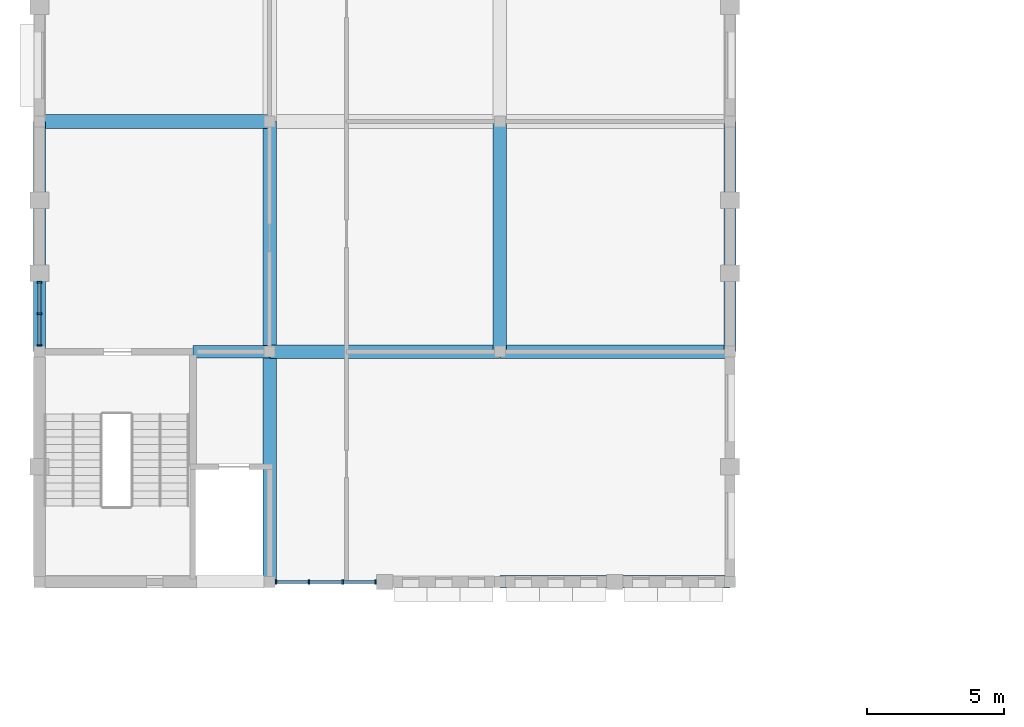
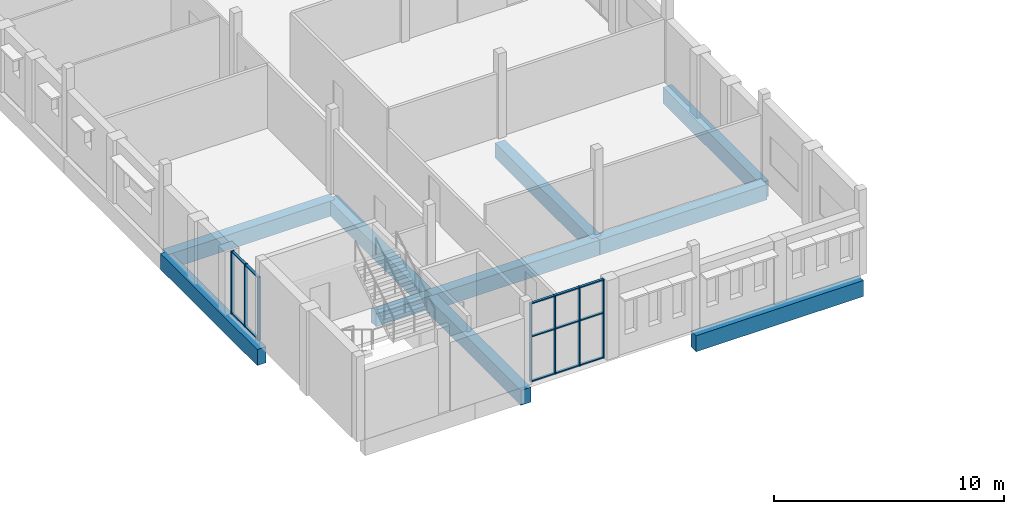
# One storey, part 4 of 22: 20 members, 10 beams, 2 elements without a shape of their own.
"""IFC4 building model written with IfcOpenShell, lengths in metres."""

from ifc_helpers import new_model, si_unit, direction, frame, origin, origin_2d, place, context, subcontext, project, spatial, rectangle, extrude, material, material_profile, profile_set, type_object, element, aggregate, save


model = new_model("IFC4")

# Units and contexts
model_context = context("Model", 3, precision=1e-05, world=origin(), true_north=direction((0.0, 1.0)))
body_context = subcontext(model_context, "Body", "Model", "MODEL_VIEW")
ifc_project = project(units=[si_unit("LENGTHUNIT", "METRE"), si_unit("AREAUNIT", "SQUARE_METRE"), si_unit("VOLUMEUNIT", "CUBIC_METRE"), si_unit("PLANEANGLEUNIT", "RADIAN"), si_unit("MASSUNIT", "GRAM", prefix="KILO")], contexts=[model_context])

# Site, building, storey
site_placement = place(None, origin())
site = spatial("IfcSite", under=ifc_project, at=site_placement, CompositionType="ELEMENT")
building_placement = place(site_placement, origin())
building = spatial("IfcBuilding", under=site, at=building_placement, Name="Fescue Hill Polytechnic", CompositionType="ELEMENT")
storey_placement = place(building_placement, frame((0.0, 0.0, 27.0)))
storey = spatial("IfcBuildingStorey", under=building, at=storey_placement, Name="L06", CompositionType="ELEMENT", Elevation=27.0)

# Beams
ifc_material_1 = material(Name="Concrete 35 MPa", Category="concrete")
ifc_material_profile_1 = material_profile(ifc_material_1, rectangle(XDim=0.449951171875, YDim=0.699951171875, at=origin_2d()), Name="RC 450x700")
ifc_profile_set_1 = profile_set([ifc_material_profile_1], Name="Concrete 35 MPa")
beam_type_1 = type_object("IfcBeamType", Name="Beam RC 450x700", PredefinedType="BEAM", material=ifc_profile_set_1)
beam_1_placement = place(storey_placement, frame((5.60009765625, 58.800048828125, -0.64990234375), z_axis=(1.0, 0.0, 0.0), x_axis=(0.0, 1.0, 0.0)))
element("IfcBeam", 1, at=beam_1_placement, inside=storey, type_object=beam_type_1, Name="BM-L06-0014", PredefinedType="BEAM", context=body_context, shape_type="SweptSolid", body=[
    extrude(rectangle(XDim=0.449951171875, YDim=0.699951171875, at=origin_2d()), origin(), (0.0, 0.0, 1.0), 2.789794921875),
])
ifc_material_profile_2 = material_profile(ifc_material_1, rectangle(XDim=0.449951171875, YDim=0.85009765625, at=origin_2d()), Name="RC 450x850")
ifc_profile_set_2 = profile_set([ifc_material_profile_2], Name="Concrete 35 MPa")
beam_type_2 = type_object("IfcBeamType", Name="Beam RC 450x850", PredefinedType="BEAM", material=ifc_profile_set_2)
for number, where, z_axis, x_axis, name in (
    (2, (0.0, 58.800048828125, -0.72509765625), (0.0, 1.0, 0.0), (-1.0, 0.0, 0.0), "BM-L06-0001"),
    (3, (16.800048828125, 50.39990234375, -0.72509765625), (1.0, 0.0, 0.0), (0.0, 1.0, 0.0), "BM-L06-0032"),
    (4, (25.199951171875, 58.800048828125, -0.72509765625), (0.0, 1.0, 0.0), (-1.0, 0.0, 0.0), "BM-L06-0051"),
):
    element("IfcBeam", number, at=place(storey_placement, frame(where, z_axis=z_axis, x_axis=x_axis)), inside=storey, type_object=beam_type_2, Name=name, PredefinedType="BEAM", context=body_context, shape_type="SweptSolid", body=[
        extrude(rectangle(XDim=0.449951171875, YDim=0.85009765625, at=origin_2d()), origin(), (0.0, 0.0, 1.0), 8.39990234375),
    ])
ifc_material_profile_3 = material_profile(ifc_material_1, rectangle(XDim=0.5, YDim=0.800048828125, at=origin_2d()), Name="RC 500x800")
ifc_profile_set_3 = profile_set([ifc_material_profile_3], Name="Concrete 35 MPa")
beam_type_3 = type_object("IfcBeamType", Name="Beam RC 500x800", PredefinedType="BEAM", material=ifc_profile_set_3)
beam_2_placement = place(storey_placement, frame((0.010009765625, 67.199951171875, -0.699951171875), z_axis=(1.0, 0.0, 0.0), x_axis=(0.0, 1.0, 0.0)))
element("IfcBeam", 5, at=beam_2_placement, inside=storey, type_object=beam_type_3, Name="BM-L06-0008", PredefinedType="BEAM", context=body_context, shape_type="SweptSolid", body=[
    extrude(rectangle(XDim=0.5, YDim=0.800048828125, at=origin_2d()), origin(), (0.0, 0.0, 1.0), 8.3798828125),
])
beam_3_placement = place(storey_placement, frame((8.39990234375, 50.39990234375, -0.699951171875), z_axis=(0.0, 1.0, 0.0), x_axis=(-1.0, 0.0, 0.0)))
element("IfcBeam", 6, at=beam_3_placement, inside=storey, type_object=beam_type_3, Name="BM-L06-0016", PredefinedType="BEAM", context=body_context, shape_type="SweptSolid", body=[
    extrude(rectangle(XDim=0.5, YDim=0.800048828125, at=origin_2d()), origin(), (0.0, 0.0, 1.0), 8.400146484375),
])
beam_4_placement = place(storey_placement, frame((8.39990234375, 58.800048828125, -0.699951171875), z_axis=(0.0, 1.0, 0.0), x_axis=(-1.0, 0.0, 0.0)))
element("IfcBeam", 7, at=beam_4_placement, inside=storey, type_object=beam_type_3, Name="BM-L06-0017", PredefinedType="BEAM", context=body_context, shape_type="SweptSolid", body=[
    extrude(rectangle(XDim=0.5, YDim=0.800048828125, at=origin_2d()), origin(), (0.0, 0.0, 1.0), 8.39990234375),
])
beam_5_placement = place(storey_placement, frame((8.409912109375, 58.800048828125, -0.699951171875), z_axis=(1.0, 0.0, 0.0), x_axis=(0.0, 1.0, 0.0)))
element("IfcBeam", 8, at=beam_5_placement, inside=storey, type_object=beam_type_3, Name="BM-L06-0024", PredefinedType="BEAM", context=body_context, shape_type="SweptSolid", body=[
    extrude(rectangle(XDim=0.5, YDim=0.800048828125, at=origin_2d()), origin(), (0.0, 0.0, 1.0), 8.380126953125),
])
beam_6_placement = place(storey_placement, frame((16.800048828125, 58.800048828125, -0.699951171875), z_axis=(0.0, 1.0, 0.0), x_axis=(-1.0, 0.0, 0.0)))
element("IfcBeam", 9, at=beam_6_placement, inside=storey, type_object=beam_type_3, Name="BM-L06-0033", PredefinedType="BEAM", context=body_context, shape_type="SweptSolid", body=[
    extrude(rectangle(XDim=0.5, YDim=0.800048828125, at=origin_2d()), origin(), (0.0, 0.0, 1.0), 8.39990234375),
])
beam_7_placement = place(storey_placement, frame((16.81005859375, 58.800048828125, -0.699951171875), z_axis=(1.0, 0.0, 0.0), x_axis=(0.0, 1.0, 0.0)))
element("IfcBeam", 10, at=beam_7_placement, inside=storey, type_object=beam_type_3, Name="BM-L06-0043", PredefinedType="BEAM", context=body_context, shape_type="SweptSolid", body=[
    extrude(rectangle(XDim=0.5, YDim=0.800048828125, at=origin_2d()), origin(), (0.0, 0.0, 1.0), 8.3798828125),
])

# Curtain wall, members
ifc_material_2 = material(Name="Glass", Category="glass")
curtain_wall_type = type_object("IfcCurtainWallType", Name="Curtain wall structural glazing", PredefinedType="NOTDEFINED", material=ifc_material_2)
curtain_wall_1_placement = place(storey_placement, origin())
curtain_wall_1 = element("IfcCurtainWall", 11, at=curtain_wall_1_placement, inside=storey, type_object=curtain_wall_type, Name="CW-L06-V4-X1", PredefinedType="NOTDEFINED")
ifc_material_3 = material(Name="Powder-coated aluminium", Category="aluminium")
ifc_material_profile_4 = material_profile(ifc_material_3, rectangle(XDim=0.159912109375, YDim=0.06005859375, at=origin_2d()), Name="Mullion aluminium 60x160")
ifc_profile_set_4 = profile_set([ifc_material_profile_4], Name="Powder-coated aluminium")
member_type_1 = type_object("IfcMemberType", Name="Mullion aluminium 60x160", PredefinedType="MULLION", material=ifc_profile_set_4)
member_1_placement = place(storey_placement, frame((0.0, 61.336669921875, 0.0), z_axis=(0.0, 0.0, 1.0), x_axis=(1.0, 0.0, 0.0)))
member_1 = element("IfcMember", 12, at=member_1_placement, type_object=member_type_1, Name="CW126 mullion 1", PredefinedType="MULLION", context=body_context, shape_type="SweptSolid", body=[
    extrude(rectangle(XDim=0.159912109375, YDim=0.06005859375, at=origin_2d()), origin(), (0.0, 0.0, 1.0), 3.330078125),
])
member_2_placement = place(storey_placement, frame((0.0, 60.183349609375, 0.0), z_axis=(0.0, 0.0, 1.0), x_axis=(1.0, 0.0, 0.0)))
member_2 = element("IfcMember", 13, at=member_2_placement, type_object=member_type_1, Name="CW126 mullion 2", PredefinedType="MULLION", context=body_context, shape_type="SweptSolid", body=[
    extrude(rectangle(XDim=0.159912109375, YDim=0.06005859375, at=origin_2d()), origin(), (0.0, 0.0, 1.0), 3.330078125),
])
member_3_placement = place(storey_placement, frame((0.0, 59.030029296875, 0.0), z_axis=(0.0, 0.0, 1.0), x_axis=(1.0, 0.0, 0.0)))
member_3 = element("IfcMember", 14, at=member_3_placement, type_object=member_type_1, Name="CW126 mullion 3", PredefinedType="MULLION", context=body_context, shape_type="SweptSolid", body=[
    extrude(rectangle(XDim=0.159912109375, YDim=0.06005859375, at=origin_2d()), origin(), (0.0, 0.0, 1.0), 3.330078125),
])

curtain_wall_2_placement = place(storey_placement, origin())
curtain_wall_2 = element("IfcCurtainWall", 15, at=curtain_wall_2_placement, inside=storey, type_object=curtain_wall_type, Name="CW-L06-V4-X4", PredefinedType="NOTDEFINED")
member_4_placement = place(storey_placement, frame((8.6298828125, 50.39990234375, 0.0), z_axis=(0.0, 0.0, 1.0), x_axis=(0.0, 1.0, 0.0)))
member_4 = element("IfcMember", 16, at=member_4_placement, type_object=member_type_1, Name="CW144 mullion 1", PredefinedType="MULLION", context=body_context, shape_type="SweptSolid", body=[
    extrude(rectangle(XDim=0.159912109375, YDim=0.06005859375, at=origin_2d()), origin(), (0.0, 0.0, 1.0), 4.179931640625),
])
member_5_placement = place(storey_placement, frame((9.833251953125, 50.39990234375, 0.0), z_axis=(0.0, 0.0, 1.0), x_axis=(0.0, 1.0, 0.0)))
member_5 = element("IfcMember", 17, at=member_5_placement, type_object=member_type_1, Name="CW144 mullion 2", PredefinedType="MULLION", context=body_context, shape_type="SweptSolid", body=[
    extrude(rectangle(XDim=0.159912109375, YDim=0.06005859375, at=origin_2d()), origin(), (0.0, 0.0, 1.0), 4.179931640625),
])
member_6_placement = place(storey_placement, frame((11.066650390625, 50.39990234375, 0.0), z_axis=(0.0, 0.0, 1.0), x_axis=(0.0, 1.0, 0.0)))
member_6 = element("IfcMember", 18, at=member_6_placement, type_object=member_type_1, Name="CW144 mullion 3", PredefinedType="MULLION", context=body_context, shape_type="SweptSolid", body=[
    extrude(rectangle(XDim=0.159912109375, YDim=0.06005859375, at=origin_2d()), origin(), (0.0, 0.0, 1.0), 4.179931640625),
])
member_7_placement = place(storey_placement, frame((12.27001953125, 50.39990234375, 0.0), z_axis=(0.0, 0.0, 1.0), x_axis=(0.0, 1.0, 0.0)))
member_7 = element("IfcMember", 19, at=member_7_placement, type_object=member_type_1, Name="CW144 mullion 4", PredefinedType="MULLION", context=body_context, shape_type="SweptSolid", body=[
    extrude(rectangle(XDim=0.159912109375, YDim=0.06005859375, at=origin_2d()), origin(), (0.0, 0.0, 1.0), 4.179931640625),
])

# Member
ifc_material_profile_5 = material_profile(ifc_material_3, rectangle(XDim=0.1201171875, YDim=0.06005859375, at=origin_2d()), Name="Transom aluminium 60x120")
ifc_profile_set_5 = profile_set([ifc_material_profile_5], Name="Powder-coated aluminium")
member_type_2 = type_object("IfcMemberType", Name="Transom aluminium 60x120", PredefinedType="USERDEFINED", material=ifc_profile_set_5)
member_8_placement = place(storey_placement, frame((0.0, 61.306640625, 0.030029296875), z_axis=(0.0, -1.0, 0.0), x_axis=(1.0, 0.0, 0.0)))
member_8 = element("IfcMember", 20, at=member_8_placement, type_object=member_type_2, Name="CW126 transom 1.1", ObjectType="TRANSOM", PredefinedType="USERDEFINED", context=body_context, shape_type="SweptSolid", body=[
    extrude(rectangle(XDim=0.1201171875, YDim=0.06005859375, at=origin_2d()), origin(), (0.0, 0.0, 1.0), 1.09326171875),
])

member_9_placement = place(storey_placement, frame((0.0, 61.306640625, 3.300048828125), z_axis=(0.0, -1.0, 0.0), x_axis=(1.0, 0.0, 0.0)))
member_9 = element("IfcMember", 21, at=member_9_placement, type_object=member_type_2, Name="CW126 transom 1.2", ObjectType="TRANSOM", PredefinedType="USERDEFINED", context=body_context, shape_type="SweptSolid", body=[
    extrude(rectangle(XDim=0.1201171875, YDim=0.06005859375, at=origin_2d()), origin(), (0.0, 0.0, 1.0), 1.09326171875),
])

member_10_placement = place(storey_placement, frame((0.0, 60.1533203125, 0.030029296875), z_axis=(0.0, -1.0, 0.0), x_axis=(1.0, 0.0, 0.0)))
member_10 = element("IfcMember", 22, at=member_10_placement, type_object=member_type_2, Name="CW126 transom 2.1", ObjectType="TRANSOM", PredefinedType="USERDEFINED", context=body_context, shape_type="SweptSolid", body=[
    extrude(rectangle(XDim=0.1201171875, YDim=0.06005859375, at=origin_2d()), origin(), (0.0, 0.0, 1.0), 1.09326171875),
])

member_11_placement = place(storey_placement, frame((0.0, 60.1533203125, 3.300048828125), z_axis=(0.0, -1.0, 0.0), x_axis=(1.0, 0.0, 0.0)))
member_11 = element("IfcMember", 23, at=member_11_placement, type_object=member_type_2, Name="CW126 transom 2.2", ObjectType="TRANSOM", PredefinedType="USERDEFINED", context=body_context, shape_type="SweptSolid", body=[
    extrude(rectangle(XDim=0.1201171875, YDim=0.06005859375, at=origin_2d()), origin(), (0.0, 0.0, 1.0), 1.09326171875),
])

aggregate(curtain_wall_1, [member_1, member_2, member_3, member_8, member_9, member_10, member_11])

member_12_placement = place(storey_placement, frame((8.659912109375, 50.39990234375, 0.030029296875), z_axis=(1.0, 0.0, 0.0), x_axis=(0.0, 1.0, 0.0)))
member_12 = element("IfcMember", 24, at=member_12_placement, type_object=member_type_2, Name="CW144 transom 1.1", ObjectType="TRANSOM", PredefinedType="USERDEFINED", context=body_context, shape_type="SweptSolid", body=[
    extrude(rectangle(XDim=0.1201171875, YDim=0.06005859375, at=origin_2d()), origin(), (0.0, 0.0, 1.0), 1.143310546875),
])

member_13_placement = place(storey_placement, frame((8.659912109375, 50.39990234375, 2.39990234375), z_axis=(1.0, 0.0, 0.0), x_axis=(0.0, 1.0, 0.0)))
member_13 = element("IfcMember", 25, at=member_13_placement, type_object=member_type_2, Name="CW144 transom 1.2", ObjectType="TRANSOM", PredefinedType="USERDEFINED", context=body_context, shape_type="SweptSolid", body=[
    extrude(rectangle(XDim=0.1201171875, YDim=0.06005859375, at=origin_2d()), origin(), (0.0, 0.0, 1.0), 1.143310546875),
])

member_14_placement = place(storey_placement, frame((8.659912109375, 50.39990234375, 4.14990234375), z_axis=(1.0, 0.0, 0.0), x_axis=(0.0, 1.0, 0.0)))
member_14 = element("IfcMember", 26, at=member_14_placement, type_object=member_type_2, Name="CW144 transom 1.3", ObjectType="TRANSOM", PredefinedType="USERDEFINED", context=body_context, shape_type="SweptSolid", body=[
    extrude(rectangle(XDim=0.1201171875, YDim=0.06005859375, at=origin_2d()), origin(), (0.0, 0.0, 1.0), 1.143310546875),
])

member_15_placement = place(storey_placement, frame((9.86328125, 50.39990234375, 0.030029296875), z_axis=(1.0, 0.0, 0.0), x_axis=(0.0, 1.0, 0.0)))
member_15 = element("IfcMember", 27, at=member_15_placement, type_object=member_type_2, Name="CW144 transom 2.1", ObjectType="TRANSOM", PredefinedType="USERDEFINED", context=body_context, shape_type="SweptSolid", body=[
    extrude(rectangle(XDim=0.1201171875, YDim=0.06005859375, at=origin_2d()), origin(), (0.0, 0.0, 1.0), 1.17333984375),
])

member_16_placement = place(storey_placement, frame((9.86328125, 50.39990234375, 2.39990234375), z_axis=(1.0, 0.0, 0.0), x_axis=(0.0, 1.0, 0.0)))
member_16 = element("IfcMember", 28, at=member_16_placement, type_object=member_type_2, Name="CW144 transom 2.2", ObjectType="TRANSOM", PredefinedType="USERDEFINED", context=body_context, shape_type="SweptSolid", body=[
    extrude(rectangle(XDim=0.1201171875, YDim=0.06005859375, at=origin_2d()), origin(), (0.0, 0.0, 1.0), 1.17333984375),
])

member_17_placement = place(storey_placement, frame((9.86328125, 50.39990234375, 4.14990234375), z_axis=(1.0, 0.0, 0.0), x_axis=(0.0, 1.0, 0.0)))
member_17 = element("IfcMember", 29, at=member_17_placement, type_object=member_type_2, Name="CW144 transom 2.3", ObjectType="TRANSOM", PredefinedType="USERDEFINED", context=body_context, shape_type="SweptSolid", body=[
    extrude(rectangle(XDim=0.1201171875, YDim=0.06005859375, at=origin_2d()), origin(), (0.0, 0.0, 1.0), 1.17333984375),
])

member_18_placement = place(storey_placement, frame((11.0966796875, 50.39990234375, 0.030029296875), z_axis=(1.0, 0.0, 0.0), x_axis=(0.0, 1.0, 0.0)))
member_18 = element("IfcMember", 30, at=member_18_placement, type_object=member_type_2, Name="CW144 transom 3.1", ObjectType="TRANSOM", PredefinedType="USERDEFINED", context=body_context, shape_type="SweptSolid", body=[
    extrude(rectangle(XDim=0.1201171875, YDim=0.06005859375, at=origin_2d()), origin(), (0.0, 0.0, 1.0), 1.143310546875),
])

member_19_placement = place(storey_placement, frame((11.0966796875, 50.39990234375, 2.39990234375), z_axis=(1.0, 0.0, 0.0), x_axis=(0.0, 1.0, 0.0)))
member_19 = element("IfcMember", 31, at=member_19_placement, type_object=member_type_2, Name="CW144 transom 3.2", ObjectType="TRANSOM", PredefinedType="USERDEFINED", context=body_context, shape_type="SweptSolid", body=[
    extrude(rectangle(XDim=0.1201171875, YDim=0.06005859375, at=origin_2d()), origin(), (0.0, 0.0, 1.0), 1.143310546875),
])

member_20_placement = place(storey_placement, frame((11.0966796875, 50.39990234375, 4.14990234375), z_axis=(1.0, 0.0, 0.0), x_axis=(0.0, 1.0, 0.0)))
member_20 = element("IfcMember", 32, at=member_20_placement, type_object=member_type_2, Name="CW144 transom 3.3", ObjectType="TRANSOM", PredefinedType="USERDEFINED", context=body_context, shape_type="SweptSolid", body=[
    extrude(rectangle(XDim=0.1201171875, YDim=0.06005859375, at=origin_2d()), origin(), (0.0, 0.0, 1.0), 1.143310546875),
])

aggregate(curtain_wall_2, [member_4, member_5, member_6, member_7, member_12, member_13, member_14, member_15, member_16, member_17, member_18, member_19, member_20])

save(model, "model.ifc")
